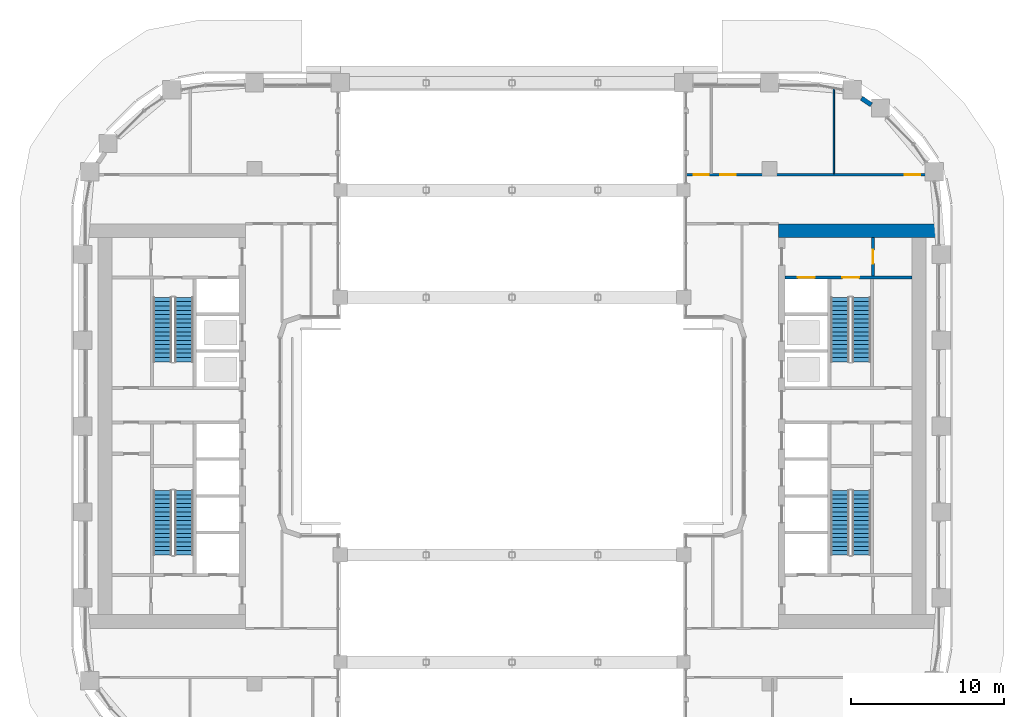
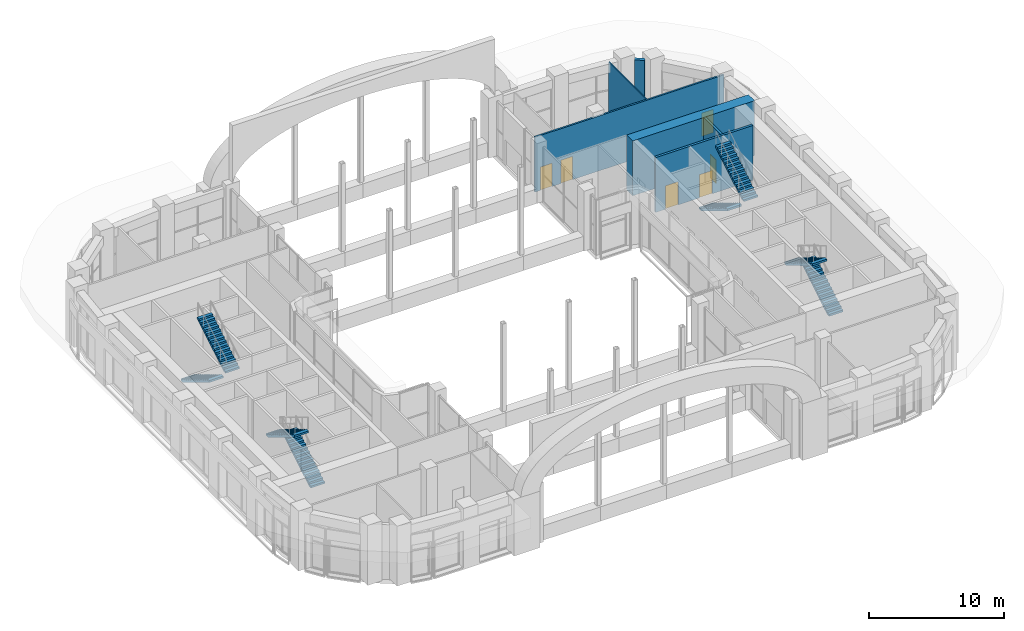
# One storey, part 18 of 28: 8 stair flights, 6 doors, 6 walls, 6 openings, 4 elements without a shape of their own.
"""IFC4 building model written with IfcOpenShell, lengths in metres."""

from ifc_helpers import new_model, si_unit, direction, frame, frame_2d, origin, place, context, subcontext, project, spatial, polyline, rectangle, outline, extrude, material, layer, layer_set, type_object, element, fill, aggregate, save


model = new_model("IFC4")

# Units and contexts
model_context = context("Model", 3, precision=1e-05, world=origin(), true_north=direction((0.0, 1.0)))
body_context = subcontext(model_context, "Body", "Model", "MODEL_VIEW")
ifc_project = project(units=[si_unit("LENGTHUNIT", "METRE"), si_unit("AREAUNIT", "SQUARE_METRE"), si_unit("VOLUMEUNIT", "CUBIC_METRE"), si_unit("PLANEANGLEUNIT", "RADIAN"), si_unit("MASSUNIT", "GRAM", prefix="KILO")], contexts=[model_context])

# Site, building, storey
site_placement = place(None, origin())
site = spatial("IfcSite", under=ifc_project, at=site_placement, CompositionType="ELEMENT")
building_placement = place(site_placement, origin())
building = spatial("IfcBuilding", under=site, at=building_placement, Name="Kiln Ring Residences", CompositionType="ELEMENT")
storey_placement = place(building_placement, frame((0.0, 0.0, 125.300048828125)))
storey = spatial("IfcBuildingStorey", under=building, at=storey_placement, Name="L32", CompositionType="ELEMENT", Elevation=125.300048828125)

# Wall, opening, door
ifc_material_1 = material(Name="Gypsum board on steel studs", Category="steel")
ifc_layer_1 = layer(ifc_material_1, 0.199951171875)
ifc_layer_set_1 = layer_set([ifc_layer_1], Name="CORE-PARTITION-200")
wall_type_1 = type_object("IfcWallType", Name="CORE-PARTITION-200", PredefinedType="PARTITIONING", material=ifc_layer_set_1)
wall_1_placement = place(storey_placement, frame((23.550048828125, 9.800048828125, 0.0), z_axis=(0.0, 0.0, 1.0), x_axis=(0.0, 1.0, 0.0)))
wall_1 = element("IfcWall", 1, at=wall_1_placement, inside=storey, type_object=wall_type_1, Name="Core partition east L32 3", PredefinedType="PARTITIONING", context=body_context, shape_type="SweptSolid", body=[
    extrude(rectangle(XDim=2.5, YDim=0.199951171875, at=frame_2d((1.25, 0.0))), origin(), (0.0, 0.0, 1.0), 4.949951171875),
])
opening_1_placement = place(wall_1_placement, frame((0.800048828125, 0.0, 0.0)))
opening_1 = element("IfcOpeningElement", 2, at=opening_1_placement, cuts=wall_1, Name="Opening L32-CE10", PredefinedType="OPENING", context=body_context, shape_type="SweptSolid", body=[
    extrude(rectangle(XDim=0.89990234375, YDim=2.10009765625, at=frame_2d((0.449951171875, 1.050048828125))), frame((0.0, 0.10986328125, 0.0), z_axis=(0.0, -1.0, 0.0), x_axis=(1.0, 0.0, 0.0)), (0.0, 0.0, 1.0), 0.219970703125),
])
ifc_material_2 = material(Name="Steel door leaf", Category="steel")
door_type_1 = type_object("IfcDoorType", Name="CORE-DOOR-ROOM", OperationType="SINGLE_SWING_LEFT", PredefinedType="DOOR", material=ifc_material_2)
door_1_placement = place(opening_1_placement, origin())
door_1 = element("IfcDoor", 3, at=door_1_placement, inside=storey, type_object=door_type_1, Name="Fire riser room L32-CE10", OperationType="SINGLE_SWING_LEFT", OverallHeight=2.10009765625, OverallWidth=0.89990234375, PredefinedType="DOOR", context=body_context, shape_type="SweptSolid", body=[
    extrude(rectangle(XDim=0.89990234375, YDim=2.10009765625, at=frame_2d((0.449951171875, 1.050048828125))), frame((0.0, 0.02490234375, 0.0), z_axis=(0.0, -1.0, 0.0), x_axis=(1.0, 0.0, 0.0)), (0.0, 0.0, 1.0), 0.050048828125),
])
fill(opening_1, door_1)

# Wall, openings, doors
ifc_material_3 = material(Name="Concrete C40/50", Category="concrete")
ifc_layer_2 = layer(ifc_material_3, 0.199951171875)
ifc_layer_set_2 = layer_set([ifc_layer_2], Name="CORE-WALL-RC200")
wall_type_2 = type_object("IfcWallType", Name="CORE-WALL-RC200", PredefinedType="SHEAR", material=ifc_layer_set_2)
wall_2_placement = place(storey_placement, frame((17.800048828125, 9.699951171875, 0.0), z_axis=(0.0, 0.0, 1.0), x_axis=(1.0, 0.0, 0.0)))
wall_2 = element("IfcWall", 4, at=wall_2_placement, inside=storey, type_object=wall_type_2, Name="Core wall east L32 9", PredefinedType="SHEAR", context=body_context, shape_type="SweptSolid", body=[
    extrude(rectangle(XDim=8.300048828125, YDim=0.199951171875, at=frame_2d((4.14990234375, 0.0))), origin(), (0.0, 0.0, 1.0), 4.949951171875),
])
opening_2_placement = place(wall_2_placement, frame((0.85009765625, 0.0, 0.0)))
opening_2 = element("IfcOpeningElement", 5, at=opening_2_placement, cuts=wall_2, Name="Opening L32-CE07", PredefinedType="OPENING", context=body_context, shape_type="SweptSolid", body=[
    extrude(rectangle(XDim=1.10009765625, YDim=2.10009765625, at=frame_2d((0.550048828125, 1.050048828125))), frame((0.0, 0.10986328125, 0.0), z_axis=(0.0, -1.0, 0.0), x_axis=(1.0, 0.0, 0.0)), (0.0, 0.0, 1.0), 0.219970703125),
])
opening_3_placement = place(wall_2_placement, frame((3.75, 0.0, 0.0)))
opening_3 = element("IfcOpeningElement", 6, at=opening_3_placement, cuts=wall_2, Name="Opening L32-CE12", PredefinedType="OPENING", context=body_context, shape_type="SweptSolid", body=[
    extrude(rectangle(XDim=1.10009765625, YDim=2.10009765625, at=frame_2d((0.550048828125, 1.050048828125))), frame((0.0, 0.10986328125, 0.0), z_axis=(0.0, -1.0, 0.0), x_axis=(1.0, 0.0, 0.0)), (0.0, 0.0, 1.0), 0.219970703125),
])
ifc_material_4 = material(Name="Steel door leaf", Category="steel")
door_type_2 = type_object("IfcDoorType", Name="CORE-DOOR-LD", OperationType="DOUBLE_DOOR_SLIDING", PredefinedType="DOOR", material=ifc_material_4)
door_2_placement = place(opening_2_placement, origin())
door_2 = element("IfcDoor", 7, at=door_2_placement, inside=storey, type_object=door_type_2, Name="LD E-FF L32-CE07", OperationType="DOUBLE_DOOR_SLIDING", OverallHeight=2.10009765625, OverallWidth=1.10009765625, PredefinedType="DOOR", context=body_context, shape_type="SweptSolid", body=[
    extrude(rectangle(XDim=1.10009765625, YDim=2.10009765625, at=frame_2d((0.550048828125, 1.050048828125))), frame((0.0, 0.02490234375, 0.0), z_axis=(0.0, -1.0, 0.0), x_axis=(1.0, 0.0, 0.0)), (0.0, 0.0, 1.0), 0.050048828125),
])
fill(opening_2, door_2)
ifc_material_5 = material(Name="Steel door leaf", Category="steel")
door_type_3 = type_object("IfcDoorType", Name="CORE-DOOR-STAIR", OperationType="SINGLE_SWING_LEFT", PredefinedType="DOOR", material=ifc_material_5)
door_3_placement = place(opening_3_placement, origin())
door_3 = element("IfcDoor", 8, at=door_3_placement, inside=storey, type_object=door_type_3, Name="Stair E-STN L32-CE12", OperationType="SINGLE_SWING_LEFT", OverallHeight=2.10009765625, OverallWidth=1.10009765625, PredefinedType="DOOR", context=body_context, shape_type="SweptSolid", body=[
    extrude(rectangle(XDim=1.10009765625, YDim=2.10009765625, at=frame_2d((0.550048828125, 1.050048828125))), frame((0.0, 0.02490234375, 0.0), z_axis=(0.0, -1.0, 0.0), x_axis=(1.0, 0.0, 0.0)), (0.0, 0.0, 1.0), 0.050048828125),
])
fill(opening_3, door_3)

# Walls
ifc_material_6 = material(Name="Concrete C60/75", Category="concrete")
ifc_layer_3 = layer(ifc_material_6, 0.89990234375)
ifc_layer_set_3 = layer_set([ifc_layer_3], Name="CORE-WALL-RC900")
wall_type_3 = type_object("IfcWallType", Name="CORE-WALL-RC900", PredefinedType="SHEAR", material=ifc_layer_set_3)
wall_3_placement = place(storey_placement, frame((17.39990234375, 12.75, 0.0), z_axis=(0.0, 0.0, 1.0), x_axis=(1.0, 0.0, 0.0)))
element("IfcWall", 9, at=wall_3_placement, inside=storey, type_object=wall_type_3, Name="Core wall east L32 4", PredefinedType="SHEAR", context=body_context, shape_type="SweptSolid", body=[
    extrude(rectangle(XDim=10.400146484375, YDim=0.89990234375, at=frame_2d((5.2001953125, 0.0))), origin(), (0.0, 0.0, 1.0), 4.949951171875),
])
ifc_material_7 = material(Name="Brick masonry, dark clay brick", Category="masonry")
ifc_layer_4 = layer(ifc_material_7, 0.300048828125)
ifc_layer_set_4 = layer_set([ifc_layer_4], Name="EW-300 BRICK WALL")
wall_type_4 = type_object("IfcWallType", Name="EW-300 BRICK WALL", PredefinedType="SOLIDWALL", material=ifc_layer_set_4)
wall_4_placement = place(storey_placement, frame((23.440185546875, 20.968017578125, 0.0), z_axis=(0.0, 0.0, 1.0), x_axis=(-0.827098912605, 0.562056392872, 0.0)))
element("IfcWall", 10, at=wall_4_placement, inside=storey, type_object=wall_type_4, Name="Facade wall L32 8", PredefinedType="SOLIDWALL", context=body_context, shape_type="SweptSolid", body=[
    extrude(rectangle(XDim=0.763671875, YDim=0.300048828125, at=frame_2d((0.3818359375, 0.0))), origin(), (0.0, 0.0, 1.0), 4.949951171875),
])
ifc_material_8 = material(Name="Gypsum board on steel studs", Category="steel")
ifc_layer_5 = layer(ifc_material_8, 0.10009765625)
ifc_layer_set_5 = layer_set([ifc_layer_5], Name="PARTITION-100")
wall_type_5 = type_object("IfcWallType", Name="PARTITION-100", PredefinedType="PARTITIONING", material=ifc_layer_set_5)
wall_5_placement = place(storey_placement, frame((21.0, 16.47509765625, 0.0), z_axis=(0.0, 0.0, 1.0), x_axis=(0.0, 1.0, 0.0)))
element("IfcWall", 11, at=wall_5_placement, inside=storey, type_object=wall_type_5, Name="Partition 019", PredefinedType="PARTITIONING", context=body_context, shape_type="SweptSolid", body=[
    extrude(rectangle(XDim=5.547119140625, YDim=0.10009765625, at=frame_2d((2.7734375, 0.0))), origin(), (0.0, 0.0, 1.0), 4.949951171875),
])

# Wall, openings, doors
ifc_material_9 = material(Name="Brick masonry partition", Category="masonry")
ifc_layer_6 = layer(ifc_material_9, 0.14990234375)
ifc_layer_set_6 = layer_set([ifc_layer_6], Name="PARTITION-150-ei60")
wall_type_6 = type_object("IfcWallType", Name="PARTITION-150-ei60", PredefinedType="PARTITIONING", material=ifc_layer_set_6)
wall_6_placement = place(storey_placement, frame((11.384033203125, 16.39990234375, 0.0), z_axis=(0.0, 0.0, 1.0), x_axis=(1.0, 0.0, 0.0)))
wall_6 = element("IfcWall", 12, at=wall_6_placement, inside=storey, type_object=wall_type_6, Name="Partition 007", PredefinedType="PARTITIONING", context=body_context, shape_type="SweptSolid", body=[
    extrude(rectangle(XDim=16.135986328125, YDim=0.14990234375, at=frame_2d((8.06787109375, 0.0))), origin(), (0.0, 0.0, 1.0), 4.949951171875),
])
opening_4_placement = place(wall_6_placement, frame((0.466064453125, 0.0, 0.0)))
opening_4 = element("IfcOpeningElement", 13, at=opening_4_placement, cuts=wall_6, Name="Opening L32-D003", PredefinedType="OPENING", context=body_context, shape_type="SweptSolid", body=[
    extrude(rectangle(XDim=1.0, YDim=2.10009765625, at=frame_2d((0.5, 1.050048828125))), frame((0.0, 0.0849609375, 0.0), z_axis=(0.0, -1.0, 0.0), x_axis=(1.0, 0.0, 0.0)), (0.0, 0.0, 1.0), 0.169921875),
])
opening_5_placement = place(wall_6_placement, frame((2.216064453125, 0.0, 0.0)))
opening_5 = element("IfcOpeningElement", 14, at=opening_5_placement, cuts=wall_6, Name="Opening L32-D004", PredefinedType="OPENING", context=body_context, shape_type="SweptSolid", body=[
    extrude(rectangle(XDim=1.0, YDim=2.10009765625, at=frame_2d((0.5, 1.050048828125))), frame((0.0, 0.0849609375, 0.0), z_axis=(0.0, -1.0, 0.0), x_axis=(1.0, 0.0, 0.0)), (0.0, 0.0, 1.0), 0.169921875),
])
opening_6_placement = place(wall_6_placement, frame((14.242919921875, 0.0, 0.0)))
opening_6 = element("IfcOpeningElement", 15, at=opening_6_placement, cuts=wall_6, Name="Opening L32-D005", PredefinedType="OPENING", context=body_context, shape_type="SweptSolid", body=[
    extrude(rectangle(XDim=1.0, YDim=2.10009765625, at=frame_2d((0.5, 1.050048828125))), frame((0.0, 0.0849609375, 0.0), z_axis=(0.0, -1.0, 0.0), x_axis=(1.0, 0.0, 0.0)), (0.0, 0.0, 1.0), 0.169921875),
])
ifc_material_10 = material(Name="Steel faced fire door leaf", Category="steel")
door_type_4 = type_object("IfcDoorType", Name="FLAT-DOOR-1000-FR", OperationType="SINGLE_SWING_LEFT", PredefinedType="DOOR", material=ifc_material_10)
door_4_placement = place(opening_4_placement, origin())
door_4 = element("IfcDoor", 16, at=door_4_placement, inside=storey, type_object=door_type_4, Name="Door L32-D003", OperationType="SINGLE_SWING_LEFT", OverallHeight=2.10009765625, OverallWidth=1.0, PredefinedType="DOOR", context=body_context, shape_type="SweptSolid", body=[
    extrude(rectangle(XDim=1.0, YDim=2.10009765625, at=frame_2d((0.5, 1.050048828125))), frame((0.0, 0.02490234375, 0.0), z_axis=(0.0, -1.0, 0.0), x_axis=(1.0, 0.0, 0.0)), (0.0, 0.0, 1.0), 0.050048828125),
])
fill(opening_4, door_4)
door_5_placement = place(opening_5_placement, origin())
door_5 = element("IfcDoor", 17, at=door_5_placement, inside=storey, type_object=door_type_4, Name="Door L32-D004", OperationType="SINGLE_SWING_RIGHT", OverallHeight=2.10009765625, OverallWidth=1.0, PredefinedType="DOOR", context=body_context, shape_type="SweptSolid", body=[
    extrude(rectangle(XDim=1.0, YDim=2.10009765625, at=frame_2d((0.5, 1.050048828125))), frame((0.0, 0.02490234375, 0.0), z_axis=(0.0, -1.0, 0.0), x_axis=(1.0, 0.0, 0.0)), (0.0, 0.0, 1.0), 0.050048828125),
])
fill(opening_5, door_5)
door_6_placement = place(opening_6_placement, origin())
door_6 = element("IfcDoor", 18, at=door_6_placement, inside=storey, type_object=door_type_4, Name="Door L32-D005", OperationType="SINGLE_SWING_LEFT", OverallHeight=2.10009765625, OverallWidth=1.0, PredefinedType="DOOR", context=body_context, shape_type="SweptSolid", body=[
    extrude(rectangle(XDim=1.0, YDim=2.10009765625, at=frame_2d((0.5, 1.050048828125))), frame((0.0, 0.02490234375, 0.0), z_axis=(0.0, -1.0, 0.0), x_axis=(1.0, 0.0, 0.0)), (0.0, 0.0, 1.0), 0.050048828125),
])
fill(opening_6, door_6)

# Stair, stair flights
ifc_material_11 = material(Name="Concrete C40/50", Category="concrete")
stair_type = type_object("IfcStairType", Name="CORE-STAIR", PredefinedType="HALF_TURN_STAIR", material=ifc_material_11)
placement = place(storey_placement, origin())
stair_1 = element("IfcStair", 19, at=placement, inside=storey, type_object=stair_type, Name="L32 stair W-STN", PredefinedType="HALF_TURN_STAIR")
ifc_material_12 = material(Name="Concrete C40/50", Category="concrete")
stair_flight_type = type_object("IfcStairFlightType", Name="CORE-STAIR-FLIGHT", PredefinedType="STRAIGHT", material=ifc_material_12)
stair_flight_1_placement = place(storey_placement, frame((-22.800048828125, 8.39990234375, 0.0), z_axis=(0.0, 0.0, 1.0), x_axis=(0.0, -1.0, 0.0)))
stair_flight_1 = element("IfcStairFlight", 20, at=stair_flight_1_placement, type_object=stair_flight_type, Name="W-STN flight 1", NumberOfRisers=16, NumberOfTreads=15, PredefinedType="STRAIGHT", RiserHeight=0.16875, TreadLength=0.28, context=body_context, shape_type="SweptSolid", body=[
    extrude(outline(polyline([(0.0, 0.0), (0.0, 0.168701171875), (0.280029296875, 0.168701171875), (0.280029296875, 0.33740234375), (0.56005859375, 0.33740234375), (0.56005859375, 0.50634765625), (0.840087890625, 0.50634765625), (0.840087890625, 0.675048828125), (1.1201171875, 0.675048828125), (1.1201171875, 0.84375), (1.39990234375, 0.84375), (1.39990234375, 1.012451171875), (1.679931640625, 1.012451171875), (1.679931640625, 1.18115234375), (1.9599609375, 1.18115234375), (1.9599609375, 1.35009765625), (2.239990234375, 1.35009765625), (2.239990234375, 1.518798828125), (2.52001953125, 1.518798828125), (2.52001953125, 1.6875), (2.800048828125, 1.6875), (2.800048828125, 1.856201171875), (3.080078125, 1.856201171875), (3.080078125, 2.02490234375), (3.360107421875, 2.02490234375), (3.360107421875, 2.19384765625), (3.639892578125, 2.19384765625), (3.639892578125, 2.362548828125), (3.919921875, 2.362548828125), (3.919921875, 2.53125), (4.199951171875, 2.53125), (4.199951171875, 2.699951171875), (4.199951171875, 2.356201171875), (0.29052734375, 0.0), (0.0, 0.0)])), frame((0.0, 0.60009765625, 0.0), z_axis=(0.0, -1.0, 0.0), x_axis=(1.0, 0.0, 0.0)), (0.0, 0.0, 1.0), 1.199951171875),
])
stair_flight_2_placement = place(storey_placement, frame((-21.39990234375, 4.199951171875, 2.699951171875), z_axis=(0.0, 0.0, 1.0), x_axis=(0.0, 1.0, 0.0)))
stair_flight_2 = element("IfcStairFlight", 21, at=stair_flight_2_placement, type_object=stair_flight_type, Name="W-STN flight 2", NumberOfRisers=16, NumberOfTreads=15, PredefinedType="STRAIGHT", RiserHeight=0.16875, TreadLength=0.28, context=body_context, shape_type="SweptSolid", body=[
    extrude(outline(polyline([(0.0, 0.0), (0.0, 0.168701171875), (0.280029296875, 0.168701171875), (0.280029296875, 0.33740234375), (0.56005859375, 0.33740234375), (0.56005859375, 0.50634765625), (0.840087890625, 0.50634765625), (0.840087890625, 0.675048828125), (1.1201171875, 0.675048828125), (1.1201171875, 0.84375), (1.39990234375, 0.84375), (1.39990234375, 1.012451171875), (1.679931640625, 1.012451171875), (1.679931640625, 1.18115234375), (1.9599609375, 1.18115234375), (1.9599609375, 1.35009765625), (2.239990234375, 1.35009765625), (2.239990234375, 1.518798828125), (2.52001953125, 1.518798828125), (2.52001953125, 1.6875), (2.800048828125, 1.6875), (2.800048828125, 1.856201171875), (3.080078125, 1.856201171875), (3.080078125, 2.02490234375), (3.360107421875, 2.02490234375), (3.360107421875, 2.19384765625), (3.639892578125, 2.19384765625), (3.639892578125, 2.362548828125), (3.919921875, 2.362548828125), (3.919921875, 2.53125), (4.199951171875, 2.53125), (4.199951171875, 2.699951171875), (4.199951171875, 2.356201171875), (0.29052734375, 0.0), (0.0, 0.0)])), frame((0.0, 0.60009765625, 0.0), z_axis=(0.0, -1.0, 0.0), x_axis=(1.0, 0.0, 0.0)), (0.0, 0.0, 1.0), 1.199951171875),
])
aggregate(stair_1, [stair_flight_1, stair_flight_2])

stair_2 = element("IfcStair", 22, at=placement, inside=storey, type_object=stair_type, Name="L32 stair W-STS", PredefinedType="HALF_TURN_STAIR")
stair_flight_3_placement = place(storey_placement, frame((-21.39990234375, -8.39990234375, 0.0), z_axis=(0.0, 0.0, 1.0), x_axis=(0.0, 1.0, 0.0)))
stair_flight_3 = element("IfcStairFlight", 23, at=stair_flight_3_placement, type_object=stair_flight_type, Name="W-STS flight 1", NumberOfRisers=16, NumberOfTreads=15, PredefinedType="STRAIGHT", RiserHeight=0.16875, TreadLength=0.28, context=body_context, shape_type="SweptSolid", body=[
    extrude(outline(polyline([(0.0, 0.0), (0.0, 0.168701171875), (0.280029296875, 0.168701171875), (0.280029296875, 0.33740234375), (0.56005859375, 0.33740234375), (0.56005859375, 0.50634765625), (0.840087890625, 0.50634765625), (0.840087890625, 0.675048828125), (1.1201171875, 0.675048828125), (1.1201171875, 0.84375), (1.39990234375, 0.84375), (1.39990234375, 1.012451171875), (1.679931640625, 1.012451171875), (1.679931640625, 1.18115234375), (1.9599609375, 1.18115234375), (1.9599609375, 1.35009765625), (2.239990234375, 1.35009765625), (2.239990234375, 1.518798828125), (2.52001953125, 1.518798828125), (2.52001953125, 1.6875), (2.800048828125, 1.6875), (2.800048828125, 1.856201171875), (3.080078125, 1.856201171875), (3.080078125, 2.02490234375), (3.360107421875, 2.02490234375), (3.360107421875, 2.19384765625), (3.639892578125, 2.19384765625), (3.639892578125, 2.362548828125), (3.919921875, 2.362548828125), (3.919921875, 2.53125), (4.199951171875, 2.53125), (4.199951171875, 2.699951171875), (4.199951171875, 2.356201171875), (0.29052734375, 0.0), (0.0, 0.0)])), frame((0.0, 0.60009765625, 0.0), z_axis=(0.0, -1.0, 0.0), x_axis=(1.0, 0.0, 0.0)), (0.0, 0.0, 1.0), 1.199951171875),
])
stair_flight_4_placement = place(storey_placement, frame((-22.800048828125, -4.199951171875, 2.699951171875), z_axis=(0.0, 0.0, 1.0), x_axis=(0.0, -1.0, 0.0)))
stair_flight_4 = element("IfcStairFlight", 24, at=stair_flight_4_placement, type_object=stair_flight_type, Name="W-STS flight 2", NumberOfRisers=16, NumberOfTreads=15, PredefinedType="STRAIGHT", RiserHeight=0.16875, TreadLength=0.28, context=body_context, shape_type="SweptSolid", body=[
    extrude(outline(polyline([(0.0, 0.0), (0.0, 0.168701171875), (0.280029296875, 0.168701171875), (0.280029296875, 0.33740234375), (0.56005859375, 0.33740234375), (0.56005859375, 0.50634765625), (0.840087890625, 0.50634765625), (0.840087890625, 0.675048828125), (1.1201171875, 0.675048828125), (1.1201171875, 0.84375), (1.39990234375, 0.84375), (1.39990234375, 1.012451171875), (1.679931640625, 1.012451171875), (1.679931640625, 1.18115234375), (1.9599609375, 1.18115234375), (1.9599609375, 1.35009765625), (2.239990234375, 1.35009765625), (2.239990234375, 1.518798828125), (2.52001953125, 1.518798828125), (2.52001953125, 1.6875), (2.800048828125, 1.6875), (2.800048828125, 1.856201171875), (3.080078125, 1.856201171875), (3.080078125, 2.02490234375), (3.360107421875, 2.02490234375), (3.360107421875, 2.19384765625), (3.639892578125, 2.19384765625), (3.639892578125, 2.362548828125), (3.919921875, 2.362548828125), (3.919921875, 2.53125), (4.199951171875, 2.53125), (4.199951171875, 2.699951171875), (4.199951171875, 2.356201171875), (0.29052734375, 0.0), (0.0, 0.0)])), frame((0.0, 0.60009765625, 0.0), z_axis=(0.0, -1.0, 0.0), x_axis=(1.0, 0.0, 0.0)), (0.0, 0.0, 1.0), 1.199951171875),
])
aggregate(stair_2, [stair_flight_3, stair_flight_4])

stair_3 = element("IfcStair", 25, at=placement, inside=storey, type_object=stair_type, Name="L32 stair E-STN", PredefinedType="HALF_TURN_STAIR")
stair_flight_5_placement = place(storey_placement, frame((21.39990234375, 8.39990234375, 0.0), z_axis=(0.0, 0.0, 1.0), x_axis=(0.0, -1.0, 0.0)))
stair_flight_5 = element("IfcStairFlight", 26, at=stair_flight_5_placement, type_object=stair_flight_type, Name="E-STN flight 1", NumberOfRisers=16, NumberOfTreads=15, PredefinedType="STRAIGHT", RiserHeight=0.16875, TreadLength=0.28, context=body_context, shape_type="SweptSolid", body=[
    extrude(outline(polyline([(0.0, 0.0), (0.0, 0.168701171875), (0.280029296875, 0.168701171875), (0.280029296875, 0.33740234375), (0.56005859375, 0.33740234375), (0.56005859375, 0.50634765625), (0.840087890625, 0.50634765625), (0.840087890625, 0.675048828125), (1.1201171875, 0.675048828125), (1.1201171875, 0.84375), (1.39990234375, 0.84375), (1.39990234375, 1.012451171875), (1.679931640625, 1.012451171875), (1.679931640625, 1.18115234375), (1.9599609375, 1.18115234375), (1.9599609375, 1.35009765625), (2.239990234375, 1.35009765625), (2.239990234375, 1.518798828125), (2.52001953125, 1.518798828125), (2.52001953125, 1.6875), (2.800048828125, 1.6875), (2.800048828125, 1.856201171875), (3.080078125, 1.856201171875), (3.080078125, 2.02490234375), (3.360107421875, 2.02490234375), (3.360107421875, 2.19384765625), (3.639892578125, 2.19384765625), (3.639892578125, 2.362548828125), (3.919921875, 2.362548828125), (3.919921875, 2.53125), (4.199951171875, 2.53125), (4.199951171875, 2.699951171875), (4.199951171875, 2.356201171875), (0.29052734375, 0.0), (0.0, 0.0)])), frame((0.0, 0.60009765625, 0.0), z_axis=(0.0, -1.0, 0.0), x_axis=(1.0, 0.0, 0.0)), (0.0, 0.0, 1.0), 1.199951171875),
])
stair_flight_6_placement = place(storey_placement, frame((22.800048828125, 4.199951171875, 2.699951171875), z_axis=(0.0, 0.0, 1.0), x_axis=(0.0, 1.0, 0.0)))
stair_flight_6 = element("IfcStairFlight", 27, at=stair_flight_6_placement, type_object=stair_flight_type, Name="E-STN flight 2", NumberOfRisers=16, NumberOfTreads=15, PredefinedType="STRAIGHT", RiserHeight=0.16875, TreadLength=0.28, context=body_context, shape_type="SweptSolid", body=[
    extrude(outline(polyline([(0.0, 0.0), (0.0, 0.168701171875), (0.280029296875, 0.168701171875), (0.280029296875, 0.33740234375), (0.56005859375, 0.33740234375), (0.56005859375, 0.50634765625), (0.840087890625, 0.50634765625), (0.840087890625, 0.675048828125), (1.1201171875, 0.675048828125), (1.1201171875, 0.84375), (1.39990234375, 0.84375), (1.39990234375, 1.012451171875), (1.679931640625, 1.012451171875), (1.679931640625, 1.18115234375), (1.9599609375, 1.18115234375), (1.9599609375, 1.35009765625), (2.239990234375, 1.35009765625), (2.239990234375, 1.518798828125), (2.52001953125, 1.518798828125), (2.52001953125, 1.6875), (2.800048828125, 1.6875), (2.800048828125, 1.856201171875), (3.080078125, 1.856201171875), (3.080078125, 2.02490234375), (3.360107421875, 2.02490234375), (3.360107421875, 2.19384765625), (3.639892578125, 2.19384765625), (3.639892578125, 2.362548828125), (3.919921875, 2.362548828125), (3.919921875, 2.53125), (4.199951171875, 2.53125), (4.199951171875, 2.699951171875), (4.199951171875, 2.356201171875), (0.29052734375, 0.0), (0.0, 0.0)])), frame((0.0, 0.60009765625, 0.0), z_axis=(0.0, -1.0, 0.0), x_axis=(1.0, 0.0, 0.0)), (0.0, 0.0, 1.0), 1.199951171875),
])
aggregate(stair_3, [stair_flight_5, stair_flight_6])

stair_4 = element("IfcStair", 28, at=placement, inside=storey, type_object=stair_type, Name="L32 stair E-STS", PredefinedType="HALF_TURN_STAIR")
stair_flight_7_placement = place(storey_placement, frame((22.800048828125, -8.39990234375, 0.0), z_axis=(0.0, 0.0, 1.0), x_axis=(0.0, 1.0, 0.0)))
stair_flight_7 = element("IfcStairFlight", 29, at=stair_flight_7_placement, type_object=stair_flight_type, Name="E-STS flight 1", NumberOfRisers=16, NumberOfTreads=15, PredefinedType="STRAIGHT", RiserHeight=0.16875, TreadLength=0.28, context=body_context, shape_type="SweptSolid", body=[
    extrude(outline(polyline([(0.0, 0.0), (0.0, 0.168701171875), (0.280029296875, 0.168701171875), (0.280029296875, 0.33740234375), (0.56005859375, 0.33740234375), (0.56005859375, 0.50634765625), (0.840087890625, 0.50634765625), (0.840087890625, 0.675048828125), (1.1201171875, 0.675048828125), (1.1201171875, 0.84375), (1.39990234375, 0.84375), (1.39990234375, 1.012451171875), (1.679931640625, 1.012451171875), (1.679931640625, 1.18115234375), (1.9599609375, 1.18115234375), (1.9599609375, 1.35009765625), (2.239990234375, 1.35009765625), (2.239990234375, 1.518798828125), (2.52001953125, 1.518798828125), (2.52001953125, 1.6875), (2.800048828125, 1.6875), (2.800048828125, 1.856201171875), (3.080078125, 1.856201171875), (3.080078125, 2.02490234375), (3.360107421875, 2.02490234375), (3.360107421875, 2.19384765625), (3.639892578125, 2.19384765625), (3.639892578125, 2.362548828125), (3.919921875, 2.362548828125), (3.919921875, 2.53125), (4.199951171875, 2.53125), (4.199951171875, 2.699951171875), (4.199951171875, 2.356201171875), (0.29052734375, 0.0), (0.0, 0.0)])), frame((0.0, 0.60009765625, 0.0), z_axis=(0.0, -1.0, 0.0), x_axis=(1.0, 0.0, 0.0)), (0.0, 0.0, 1.0), 1.199951171875),
])
stair_flight_8_placement = place(storey_placement, frame((21.39990234375, -4.199951171875, 2.699951171875), z_axis=(0.0, 0.0, 1.0), x_axis=(0.0, -1.0, 0.0)))
stair_flight_8 = element("IfcStairFlight", 30, at=stair_flight_8_placement, type_object=stair_flight_type, Name="E-STS flight 2", NumberOfRisers=16, NumberOfTreads=15, PredefinedType="STRAIGHT", RiserHeight=0.16875, TreadLength=0.28, context=body_context, shape_type="SweptSolid", body=[
    extrude(outline(polyline([(0.0, 0.0), (0.0, 0.168701171875), (0.280029296875, 0.168701171875), (0.280029296875, 0.33740234375), (0.56005859375, 0.33740234375), (0.56005859375, 0.50634765625), (0.840087890625, 0.50634765625), (0.840087890625, 0.675048828125), (1.1201171875, 0.675048828125), (1.1201171875, 0.84375), (1.39990234375, 0.84375), (1.39990234375, 1.012451171875), (1.679931640625, 1.012451171875), (1.679931640625, 1.18115234375), (1.9599609375, 1.18115234375), (1.9599609375, 1.35009765625), (2.239990234375, 1.35009765625), (2.239990234375, 1.518798828125), (2.52001953125, 1.518798828125), (2.52001953125, 1.6875), (2.800048828125, 1.6875), (2.800048828125, 1.856201171875), (3.080078125, 1.856201171875), (3.080078125, 2.02490234375), (3.360107421875, 2.02490234375), (3.360107421875, 2.19384765625), (3.639892578125, 2.19384765625), (3.639892578125, 2.362548828125), (3.919921875, 2.362548828125), (3.919921875, 2.53125), (4.199951171875, 2.53125), (4.199951171875, 2.699951171875), (4.199951171875, 2.356201171875), (0.29052734375, 0.0), (0.0, 0.0)])), frame((0.0, 0.60009765625, 0.0), z_axis=(0.0, -1.0, 0.0), x_axis=(1.0, 0.0, 0.0)), (0.0, 0.0, 1.0), 1.199951171875),
])
aggregate(stair_4, [stair_flight_7, stair_flight_8])

save(model, "model.ifc")
